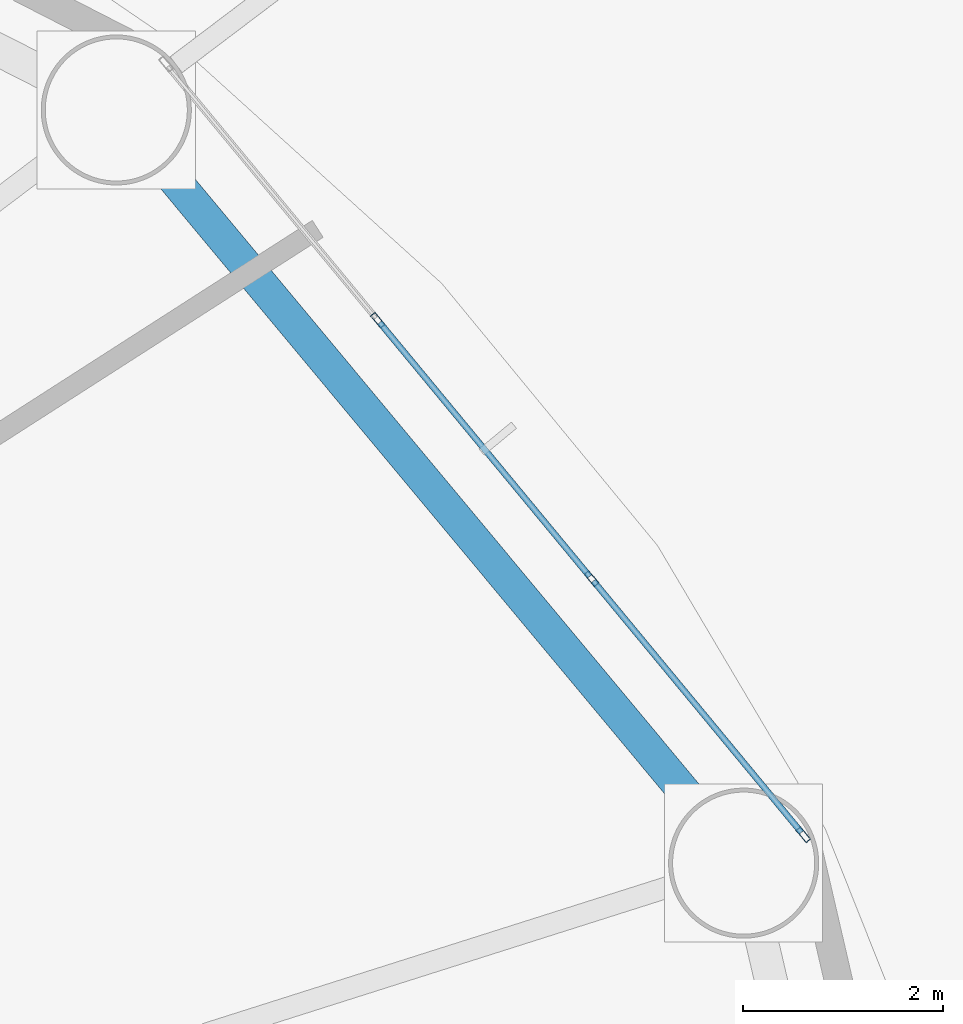
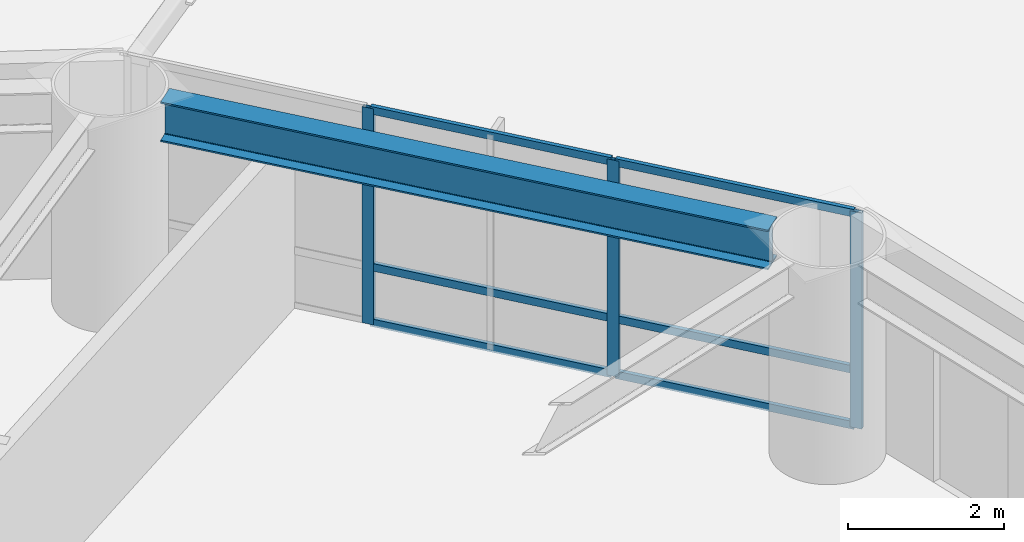
# One storey, part 14 of 30: 9 members, 1 beam, 1 element without a shape of its own.
"""IFC4 building model written with IfcOpenShell, lengths in metres."""

from ifc_helpers import new_model, si_unit, direction, frame, origin, origin_2d, place, context, subcontext, project, spatial, hollow_rectangle, i_section, extrude, material, layer, layer_set, material_profile, profile_set, type_object, element, aggregate, save


model = new_model("IFC4")

# Units and contexts
model_context = context("Model", 3, precision=1e-05, world=origin(), true_north=direction((0.0, 1.0)))
body_context = subcontext(model_context, "Body", "Model", "MODEL_VIEW")
ifc_project = project(units=[si_unit("LENGTHUNIT", "METRE"), si_unit("AREAUNIT", "SQUARE_METRE"), si_unit("VOLUMEUNIT", "CUBIC_METRE"), si_unit("PLANEANGLEUNIT", "RADIAN"), si_unit("MASSUNIT", "GRAM", prefix="KILO")], contexts=[model_context])

# Site, building, storey
site_placement = place(None, origin())
site = spatial("IfcSite", under=ifc_project, at=site_placement, CompositionType="ELEMENT")
building_placement = place(site_placement, origin())
building = spatial("IfcBuilding", under=site, at=building_placement, Name="Sarneth Arch Tower", CompositionType="ELEMENT")
storey_placement = place(building_placement, frame((0.0, 0.0, 28.199951171875)))
storey = spatial("IfcBuildingStorey", under=building, at=storey_placement, Name="L05", CompositionType="ELEMENT", Elevation=28.199951171875)

# Beam
ifc_material_1 = material(Name="Steel S355", Category="steel")
ifc_material_profile_1 = material_profile(ifc_material_1, i_section(OverallWidth=0.326904296875, OverallDepth=0.6220703125, WebThickness=0.015380859375, FlangeThickness=0.0244140625, FilletRadius=0.01904296875, at=origin_2d()), Name="W610x195")
ifc_profile_set_1 = profile_set([ifc_material_profile_1], Name="Steel S355")
beam_type = type_object("IfcBeamType", Name="BM-SPAN-610A", PredefinedType="SPANDREL", material=ifc_profile_set_1)
beam_placement = place(storey_placement, frame((75.485595703125, 51.45458984375, 3.069091796875), z_axis=(-0.639981736251, 0.768390120489, 0.0), x_axis=(-0.768390120489, -0.639981736251, 0.0)))
element("IfcBeam", 1, at=beam_placement, inside=storey, type_object=beam_type, Name="L05 Perimeter spandrel beam 02", PredefinedType="SPANDREL", context=body_context, shape_type="SweptSolid", body=[
    extrude(i_section(OverallWidth=0.326904296875, OverallDepth=0.6220703125, WebThickness=0.015380859375, FlangeThickness=0.0244140625, FilletRadius=0.01904296875, at=origin_2d()), origin(), (0.0, 0.0, 1.0), 8.29541015625),
])

# Curtain wall, members
ifc_material_2 = material(Name="Anodised aluminium Type AA25 and solar-control low-e laminated IGU", Category="aluminium")
ifc_layer = layer(ifc_material_2, 0.159912109375)
ifc_layer_set = layer_set([ifc_layer], Name="Anodised aluminium Type AA25 and solar-control low-e laminated IGU")
curtain_wall_type = type_object("IfcCurtainWallType", Name="CW-HOTEL-LOW", PredefinedType="NOTDEFINED", material=ifc_layer_set)
curtain_wall_placement = place(storey_placement, origin())
curtain_wall = element("IfcCurtainWall", 2, at=curtain_wall_placement, inside=storey, type_object=curtain_wall_type, Name="L05 Unitised curtain wall facet 02", PredefinedType="NOTDEFINED")
ifc_material_3 = material(Name="Anodised Aluminium 6063-T6", Category="aluminium")
ifc_material_profile_2 = material_profile(ifc_material_3, hollow_rectangle(XDim=0.06005859375, YDim=0.159912109375, WallThickness=0.00390625, at=origin_2d()), Name="AL-MULL-160x60x4")
ifc_profile_set_2 = profile_set([ifc_material_profile_2], Name="Anodised Aluminium 6063-T6")
member_type_1 = type_object("IfcMemberType", Name="CW-MULLION", PredefinedType="MULLION", material=ifc_profile_set_2)
member_1_placement = place(storey_placement, frame((76.561767578125, 51.16162109375, 0.0), z_axis=(0.0, 0.0, 1.0), x_axis=(-0.770622960278, -0.637291340827, 0.0)))
member_1 = element("IfcMember", 3, at=member_1_placement, type_object=member_type_1, Name="CW-SYS-3 mullion 1", PredefinedType="MULLION", context=body_context, shape_type="SweptSolid", body=[
    extrude(hollow_rectangle(XDim=0.06005859375, YDim=0.159912109375, WallThickness=0.00390625, at=origin_2d()), origin(), (0.0, 0.0, 1.0), 3.380126953125),
])
member_2_placement = place(storey_placement, frame((74.4453125, 53.720947265625, 0.0), z_axis=(0.0, 0.0, 1.0), x_axis=(-0.770622960278, -0.637291340827, 0.0)))
member_2 = element("IfcMember", 4, at=member_2_placement, type_object=member_type_1, Name="CW-SYS-3 mullion 2", PredefinedType="MULLION", context=body_context, shape_type="SweptSolid", body=[
    extrude(hollow_rectangle(XDim=0.06005859375, YDim=0.159912109375, WallThickness=0.00390625, at=origin_2d()), origin(), (0.0, 0.0, 1.0), 3.380126953125),
])
member_3_placement = place(storey_placement, frame((72.309814453125, 56.30322265625, 0.0), z_axis=(0.0, 0.0, 1.0), x_axis=(-0.770622960278, -0.637291340827, 0.0)))
member_3 = element("IfcMember", 5, at=member_3_placement, type_object=member_type_1, Name="CW-SYS-3 mullion 3", PredefinedType="MULLION", context=body_context, shape_type="SweptSolid", body=[
    extrude(hollow_rectangle(XDim=0.06005859375, YDim=0.159912109375, WallThickness=0.00390625, at=origin_2d()), origin(), (0.0, 0.0, 1.0), 3.380126953125),
])
ifc_material_4 = material(Name="Anodised Aluminium 6063-T6", Category="aluminium")
ifc_material_profile_3 = material_profile(ifc_material_4, hollow_rectangle(XDim=0.06005859375, YDim=0.1201171875, WallThickness=0.00390625, at=origin_2d()), Name="AL-TRAN-120x60x4")
ifc_profile_set_3 = profile_set([ifc_material_profile_3], Name="Anodised Aluminium 6063-T6")
member_type_2 = type_object("IfcMemberType", Name="CW-TRANSOM", PredefinedType="USERDEFINED", material=ifc_profile_set_3)
member_4_placement = place(storey_placement, frame((76.542724609375, 51.184814453125, 0.030029296875), z_axis=(-0.63733019572, 0.77059082633, 0.0), x_axis=(-0.77059082633, -0.63733019572, 0.0)))
member_4 = element("IfcMember", 6, at=member_4_placement, type_object=member_type_2, Name="CW-SYS-3 transom 1.1", ObjectType="TRANSOM", PredefinedType="USERDEFINED", context=body_context, shape_type="SweptSolid", body=[
    extrude(hollow_rectangle(XDim=0.06005859375, YDim=0.1201171875, WallThickness=0.00390625, at=origin_2d()), origin(), (0.0, 0.0, 1.0), 3.260986328125),
])
member_5_placement = place(storey_placement, frame((76.542724609375, 51.184814453125, 0.900146484375), z_axis=(-0.63733019572, 0.77059082633, 0.0), x_axis=(-0.77059082633, -0.63733019572, 0.0)))
member_5 = element("IfcMember", 7, at=member_5_placement, type_object=member_type_2, Name="CW-SYS-3 transom 1.2", ObjectType="TRANSOM", PredefinedType="USERDEFINED", context=body_context, shape_type="SweptSolid", body=[
    extrude(hollow_rectangle(XDim=0.06005859375, YDim=0.1201171875, WallThickness=0.00390625, at=origin_2d()), origin(), (0.0, 0.0, 1.0), 3.260986328125),
])
member_6_placement = place(storey_placement, frame((76.542724609375, 51.184814453125, 3.35009765625), z_axis=(-0.63733019572, 0.77059082633, 0.0), x_axis=(-0.77059082633, -0.63733019572, 0.0)))
member_6 = element("IfcMember", 8, at=member_6_placement, type_object=member_type_2, Name="CW-SYS-3 transom 1.3", ObjectType="TRANSOM", PredefinedType="USERDEFINED", context=body_context, shape_type="SweptSolid", body=[
    extrude(hollow_rectangle(XDim=0.06005859375, YDim=0.1201171875, WallThickness=0.00390625, at=origin_2d()), origin(), (0.0, 0.0, 1.0), 3.260986328125),
])
member_7_placement = place(storey_placement, frame((74.42626953125, 53.743896484375, 0.030029296875), z_axis=(-0.637268595771, 0.770641769465, 0.0), x_axis=(-0.770641769465, -0.637268595771, 0.0)))
member_7 = element("IfcMember", 9, at=member_7_placement, type_object=member_type_2, Name="CW-SYS-3 transom 2.1", ObjectType="TRANSOM", PredefinedType="USERDEFINED", context=body_context, shape_type="SweptSolid", body=[
    extrude(hollow_rectangle(XDim=0.06005859375, YDim=0.1201171875, WallThickness=0.00390625, at=origin_2d()), origin(), (0.0, 0.0, 1.0), 3.291259765625),
])
member_8_placement = place(storey_placement, frame((74.42626953125, 53.743896484375, 0.900146484375), z_axis=(-0.637268595771, 0.770641769465, 0.0), x_axis=(-0.770641769465, -0.637268595771, 0.0)))
member_8 = element("IfcMember", 10, at=member_8_placement, type_object=member_type_2, Name="CW-SYS-3 transom 2.2", ObjectType="TRANSOM", PredefinedType="USERDEFINED", context=body_context, shape_type="SweptSolid", body=[
    extrude(hollow_rectangle(XDim=0.06005859375, YDim=0.1201171875, WallThickness=0.00390625, at=origin_2d()), origin(), (0.0, 0.0, 1.0), 3.291259765625),
])
member_9_placement = place(storey_placement, frame((74.42626953125, 53.743896484375, 3.35009765625), z_axis=(-0.637268595771, 0.770641769465, 0.0), x_axis=(-0.770641769465, -0.637268595771, 0.0)))
member_9 = element("IfcMember", 11, at=member_9_placement, type_object=member_type_2, Name="CW-SYS-3 transom 2.3", ObjectType="TRANSOM", PredefinedType="USERDEFINED", context=body_context, shape_type="SweptSolid", body=[
    extrude(hollow_rectangle(XDim=0.06005859375, YDim=0.1201171875, WallThickness=0.00390625, at=origin_2d()), origin(), (0.0, 0.0, 1.0), 3.291259765625),
])
aggregate(curtain_wall, [member_1, member_2, member_3, member_4, member_5, member_6, member_7, member_8, member_9])

save(model, "model.ifc")
